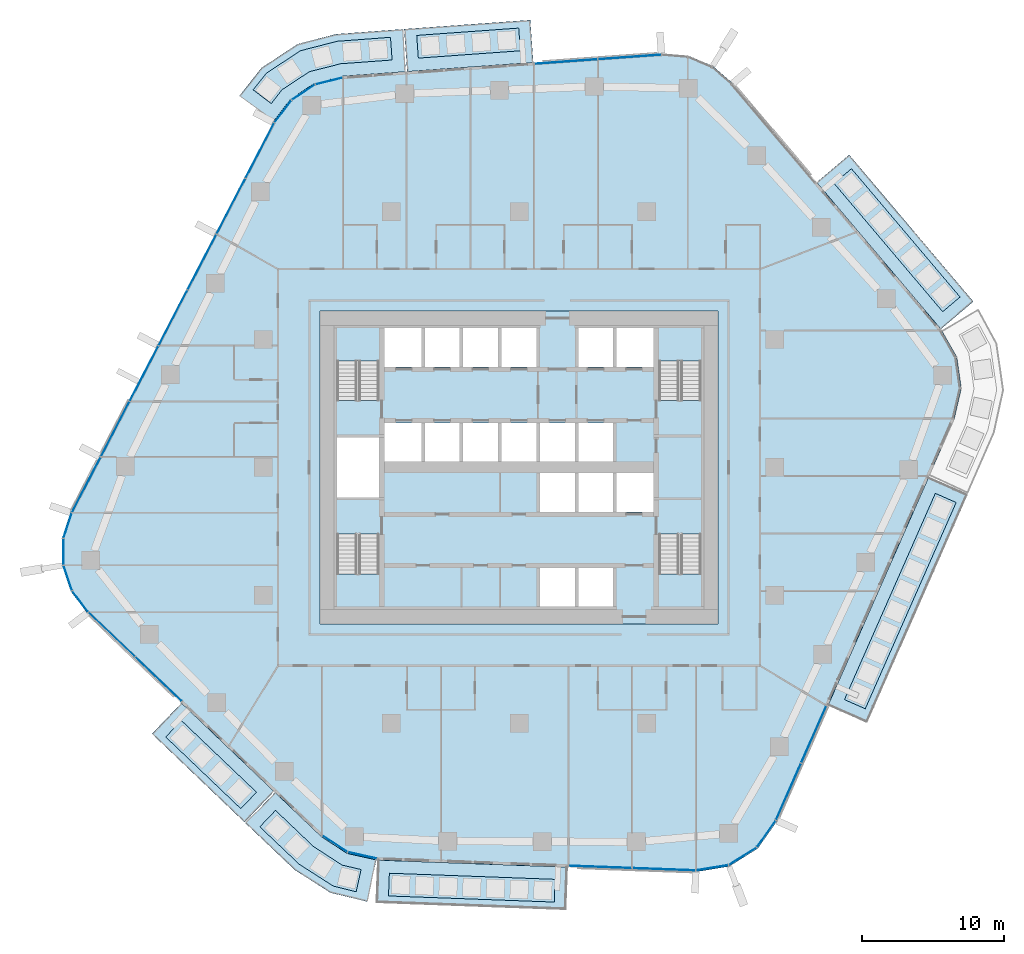
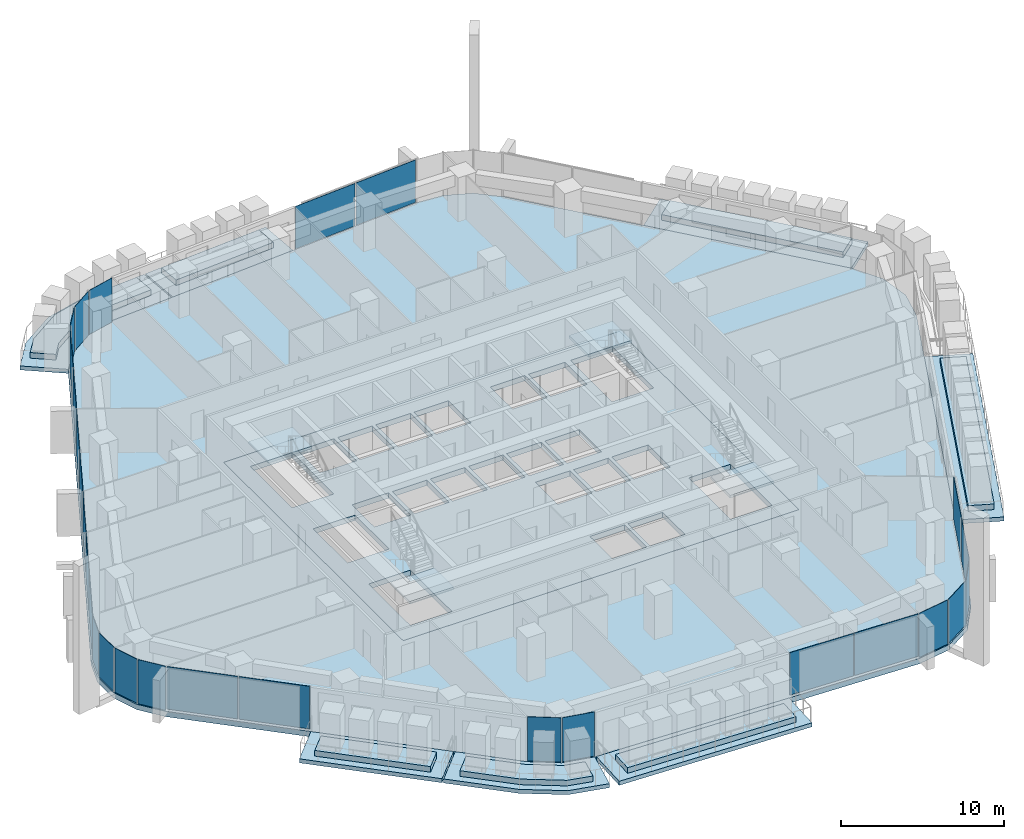
# One storey, part 10 of 24: 27 plates, 20 slabs, 13 elements without a shape of their own.
"""IFC4 building model written with IfcOpenShell, lengths in metres."""

import ifcopenshell
import ifcopenshell.guid

model = None  # the IFC model being written
_history = None  # IfcOwnerHistory: only IFC2X3 demands one
_inside = {}  # id of a spatial element -> (the spatial element, [elements in it])
_under = {}  # id of a project, library or spatial element -> (it, [spatial elements below it])
_declared = {}  # id of a project -> (the project, [libraries it declares])
_typed = {}  # id of a type object -> (the type object, [elements of that type])
_made_of = {}  # id of a material, layer set ... -> (it, [elements and type objects made of it])


def new_model(schema):
    """Start an empty IFC model of exactly this schema.

    Asked for "IFC4X3", IfcOpenShell would pick the latest addendum, in which some entities
    have other attributes; the version numbers below select the first issue.
    IFC2X3 requires an IfcOwnerHistory on every rooted entity: one is made here for all.
    """
    global model, _history
    if schema == "IFC4X3":
        model = ifcopenshell.file(schema_version=(4, 3, 0, 0))
    else:
        model = ifcopenshell.file(schema=schema)
    _inside.clear()
    _under.clear()
    _declared.clear()
    _typed.clear()
    _made_of.clear()
    _history = None
    if model.schema == "IFC2X3":
        org = make("IfcOrganization", Name="unknown")
        user = make(
            "IfcPersonAndOrganization",
            ThePerson=make("IfcPerson", FamilyName="unknown"),
            TheOrganization=org,
        )
        app = make(
            "IfcApplication",
            ApplicationDeveloper=org,
            Version="unknown",
            ApplicationFullName="unknown",
            ApplicationIdentifier="unknown",
        )
        _history = make(
            "IfcOwnerHistory",
            OwningUser=user,
            OwningApplication=app,
            ChangeAction="ADDED",
            CreationDate=0,
        )
    return model


def make(cls, **values):
    """One entity of the class cls with the attributes given. An attribute that is None is left unset."""
    return model.create_entity(
        cls, **{name: value for name, value in values.items() if value is not None}
    )


def rooted(cls, **values):
    """An entity with a GlobalId (a new one), such as an element, a storey or a relation."""
    return make(cls, GlobalId=ifcopenshell.guid.new(), OwnerHistory=_history, **values)


def si_unit(unit_type, name, prefix=None):
    """IfcSIUnit, for example si_unit("LENGTHUNIT", "METRE", prefix="MILLI")."""
    return make("IfcSIUnit", UnitType=unit_type, Prefix=prefix, Name=name)


def assignment(units):
    """IfcUnitAssignment: the units of a project."""
    return None if units is None else make("IfcUnitAssignment", Units=units)


def point(xyz):
    """IfcCartesianPoint."""
    return None if xyz is None else make("IfcCartesianPoint", Coordinates=xyz)


def direction(xyz):
    """IfcDirection."""
    return None if xyz is None else make("IfcDirection", DirectionRatios=xyz)


def frame(location, z_axis=None, x_axis=None):
    """IfcAxis2Placement3D, a coordinate frame: its origin and axes. An axis left out is left unset."""
    return make(
        "IfcAxis2Placement3D",
        Location=point(location),
        Axis=direction(z_axis),
        RefDirection=direction(x_axis),
    )


def frame_2d(location, x_axis=None):
    """IfcAxis2Placement2D, a coordinate frame in the plane: its origin and x axis."""
    return make(
        "IfcAxis2Placement2D", Location=point(location), RefDirection=direction(x_axis)
    )


def origin():
    """The frame at (0, 0, 0) with its axes left unset."""
    return frame((0.0, 0.0, 0.0))


def origin_2d():
    """The frame at (0, 0) in the plane with its x axis left unset."""
    return frame_2d((0.0, 0.0))


def place(relative_to, where):
    """IfcLocalPlacement: puts the frame where relative to a parent placement (None: the world)."""
    return make(
        "IfcLocalPlacement", PlacementRelTo=relative_to, RelativePlacement=where
    )


def context(
    kind, dimensions, precision=None, world=None, true_north=None, identifier=None
):
    """IfcGeometricRepresentationContext, for example the 3D "Model" context."""
    return make(
        "IfcGeometricRepresentationContext",
        ContextIdentifier=identifier,
        ContextType=kind,
        CoordinateSpaceDimension=dimensions,
        Precision=precision,
        WorldCoordinateSystem=world,
        TrueNorth=true_north,
    )


def subcontext(parent, identifier, kind, view, scale=None):
    """IfcGeometricRepresentationSubContext, for example "Body" below "Model"."""
    return make(
        "IfcGeometricRepresentationSubContext",
        ContextIdentifier=identifier,
        ContextType=kind,
        ParentContext=parent,
        TargetScale=scale,
        TargetView=view,
    )


def project(units=None, contexts=None):
    """IfcProject with its units and contexts."""
    return rooted(
        "IfcProject",
        Name="project",
        RepresentationContexts=contexts,
        UnitsInContext=assignment(units),
    )


def spatial(cls, under=None, at=None, **own):
    """A site, building, storey or space (cls), placed at a placement, below another one or the project."""
    s = rooted(cls, ObjectPlacement=at, **own)
    if under is not None:
        _under.setdefault(under.id(), (under, []))[1].append(s)
    return s


def polyline(points):
    """IfcPolyline through the points."""
    return make("IfcPolyline", Points=[point(p) for p in points])


def profile(cls, at=None, kind="AREA", **sizes):
    """A parametric profile (cls). Its sizes go by their IFC names, for example OverallWidth=200.0."""
    return make(cls, ProfileType=kind, Position=at, **sizes)


def rectangle(**sizes):
    """IfcRectangleProfileDef."""
    return profile("IfcRectangleProfileDef", **sizes)


def outline(outer, holes=None, kind="AREA"):
    """IfcArbitraryClosedProfileDef: a profile drawn as a closed curve; with holes, ...WithVoids."""
    if holes is None:
        return make("IfcArbitraryClosedProfileDef", ProfileType=kind, OuterCurve=outer)
    return make(
        "IfcArbitraryProfileDefWithVoids",
        ProfileType=kind,
        OuterCurve=outer,
        InnerCurves=holes,
    )


def extrude(swept, where, along, depth):
    """IfcExtrudedAreaSolid: the profile swept, set in the frame where, extruded along a direction by depth."""
    return make(
        "IfcExtrudedAreaSolid",
        SweptArea=swept,
        Position=where,
        ExtrudedDirection=direction(along),
        Depth=depth,
    )


def shape(context_of_items, identifier, shape_type, items):
    """IfcShapeRepresentation: the items that make up one representation, for example the "Body"."""
    return make(
        "IfcShapeRepresentation",
        ContextOfItems=context_of_items,
        RepresentationIdentifier=identifier,
        RepresentationType=shape_type,
        Items=items,
    )


def material(Name=None, Category=None):
    """IfcMaterial."""
    return make("IfcMaterial", Name=Name, Category=Category)


def layer(
    of_material, thickness, ventilated=None, Name=None, Category=None, Priority=None
):
    """IfcMaterialLayer: one layer of a wall or slab, of a material (None: an air gap)."""
    return make(
        "IfcMaterialLayer",
        Material=of_material,
        LayerThickness=thickness,
        IsVentilated=ventilated,
        Name=Name,
        Category=Category,
        Priority=Priority,
    )


def layer_set(layers, Name=None):
    """IfcMaterialLayerSet."""
    return make("IfcMaterialLayerSet", MaterialLayers=layers, LayerSetName=Name)


def made_of(thing, what):
    """Note that an element or type object is made of a material, layer set ...; save() writes the relation."""
    if what is not None:
        _made_of.setdefault(what.id(), (what, []))[1].append(thing)
    return thing


def type_object(cls, material=None, **own):
    """A type object (cls), such as IfcWallType, which elements share."""
    return made_of(rooted(cls, **own), material)


def element(
    cls,
    number,
    at=None,
    inside=None,
    cuts=None,
    type_object=None,
    material=None,
    context=None,
    identifier="Body",
    shape_type=None,
    held_by="IfcProductDefinitionShape",
    body=None,
    shapes=None,
    **own,
):
    """One element of the class cls, such as IfcWall. Its Tag is "e" and its number.

    at: its placement. inside: the storey or other place that contains it. cuts: it is an
    opening in that element (IfcRelVoidsElement). A single representation is given by context,
    identifier, shape_type and body (its items); several are given by shapes. held_by: the class
    of the entity that holds the representations. save() writes the other relations.
    """
    e = rooted(cls, Tag="e%d" % number, ObjectPlacement=at, **own)
    if body is not None:
        shapes = [shape(context, identifier, shape_type, body)]
    if shapes is not None:
        e.Representation = make(held_by, Representations=shapes)
    if inside is not None:
        _inside.setdefault(inside.id(), (inside, []))[1].append(e)
    if cuts is not None:
        rooted(
            "IfcRelVoidsElement", RelatingBuildingElement=cuts, RelatedOpeningElement=e
        )
    if type_object is not None:
        _typed.setdefault(type_object.id(), (type_object, []))[1].append(e)
    return made_of(e, material)


def aggregate(whole, parts):
    """IfcRelAggregates: a whole, such as a stair, and the parts it consists of."""
    return rooted("IfcRelAggregates", RelatingObject=whole, RelatedObjects=parts)


def save(model, path):
    """Write the relations noted so far, then the file.

    IfcRelAggregates (storeys below a building ...), IfcRelContainedInSpatialStructure (elements
    in a storey), IfcRelDefinesByType, IfcRelAssociatesMaterial and IfcRelDeclares: one each for
    every whole, place, type object, material and project.
    """
    for whole, parts in _under.values():
        aggregate(whole, parts)
    for where, things in _inside.values():
        rooted(
            "IfcRelContainedInSpatialStructure",
            RelatedElements=things,
            RelatingStructure=where,
        )
    for kind, things in _typed.values():
        rooted("IfcRelDefinesByType", RelatedObjects=things, RelatingType=kind)
    for what, things in _made_of.values():
        rooted("IfcRelAssociatesMaterial", RelatedObjects=things, RelatingMaterial=what)
    for by, libraries in _declared.values():
        rooted("IfcRelDeclares", RelatingContext=by, RelatedDefinitions=libraries)
    model.write(path)


model = new_model("IFC4")

# Units and contexts
model_context = context("Model", 3, precision=1e-05, world=origin(), true_north=direction((0.0, 1.0)))
body_context = subcontext(model_context, "Body", "Model", "MODEL_VIEW")
ifc_project = project(units=[si_unit("LENGTHUNIT", "METRE"), si_unit("AREAUNIT", "SQUARE_METRE"), si_unit("VOLUMEUNIT", "CUBIC_METRE"), si_unit("PLANEANGLEUNIT", "RADIAN"), si_unit("MASSUNIT", "GRAM", prefix="KILO")], contexts=[model_context])

# Site, building, storey
site_placement = place(None, origin())
site = spatial("IfcSite", under=ifc_project, at=site_placement, CompositionType="ELEMENT")
building_placement = place(site_placement, origin())
building = spatial("IfcBuilding", under=site, at=building_placement, Name="Dongbaek Canopy Tower", CompositionType="ELEMENT")
storey_placement = place(building_placement, frame((0.0, 0.0, 106.300048828125)))
storey = spatial("IfcBuildingStorey", under=building, at=storey_placement, Name="L22", CompositionType="ELEMENT", Elevation=106.300048828125)

# Slabs
ifc_material_1 = material(Name="Concrete C40/50", Category="concrete")
ifc_layer_1 = layer(ifc_material_1, 0.300048828125)
ifc_layer_set_1 = layer_set([ifc_layer_1], Name="Balcony slab 300")
slab_type_1 = type_object("IfcSlabType", Name="Balcony slab 300", PredefinedType="FLOOR", material=ifc_layer_set_1)
slab_1_placement = place(storey_placement, frame((0.0, 0.0, -0.300048828125)))
element("IfcSlab", 1, at=slab_1_placement, inside=storey, type_object=slab_type_1, Name="Balcony L22 1", PredefinedType="FLOOR", context=body_context, shape_type="SweptSolid", body=[
    extrude(outline(polyline([(29.67626953125, 9.7314453125), (20.938720703125, 20.0546875), (23.228515625, 21.99267578125), (31.966064453125, 11.669677734375), (29.67626953125, 9.7314453125)])), origin(), (0.0, 0.0, 1.0), 0.300048828125),
])
slab_2_placement = place(storey_placement, frame((0.0, 0.0, -0.300048828125)))
element("IfcSlab", 2, at=slab_2_placement, inside=storey, type_object=slab_type_1, Name="Balcony L22 2", PredefinedType="FLOOR", context=body_context, shape_type="SweptSolid", body=[
    extrude(outline(polyline([(1.005859375, 28.485107421875), (-7.866455078125, 27.846923828125), (-8.081787109375, 30.839111328125), (0.790771484375, 31.477294921875), (1.005859375, 28.485107421875)])), origin(), (0.0, 0.0, 1.0), 0.300048828125),
])
slab_3_placement = place(storey_placement, frame((0.0, 0.0, -0.300048828125)))
element("IfcSlab", 3, at=slab_3_placement, inside=storey, type_object=slab_type_1, Name="Balcony L22 7", PredefinedType="FLOOR", context=body_context, shape_type="SweptSolid", body=[
    extrude(outline(polyline([(-7.96630859375, 27.839599609375), (-12.402587890625, 27.5205078125), (-14.37353515625, 27.034423828125), (-16.06982421875, 25.918701171875), (-17.2666015625, 24.341064453125), (-19.65673828125, 26.154296875), (-18.11865234375, 28.110107421875), (-15.574462890625, 29.78369140625), (-12.870849609375, 30.48388671875), (-8.181396484375, 30.83203125), (-7.96630859375, 27.839599609375)])), origin(), (0.0, 0.0, 1.0), 0.300048828125),
])
slab_4_placement = place(storey_placement, frame((0.0, 0.0, -0.300048828125)))
element("IfcSlab", 4, at=slab_4_placement, inside=storey, type_object=slab_type_1, Name="Balcony L22 3", PredefinedType="FLOOR", context=body_context, shape_type="SweptSolid", body=[
    extrude(outline(polyline([(-23.7509765625, -16.577392578125), (-17.238525390625, -22.794189453125), (-19.309814453125, -24.964111328125), (-25.822509765625, -18.74755859375), (-23.7509765625, -16.577392578125)])), origin(), (0.0, 0.0, 1.0), 0.300048828125),
])
slab_5_placement = place(storey_placement, frame((0.0, 0.0, -0.300048828125)))
element("IfcSlab", 5, at=slab_5_placement, inside=storey, type_object=slab_type_1, Name="Balcony L22 8", PredefinedType="FLOOR", context=body_context, shape_type="SweptSolid", body=[
    extrude(outline(polyline([(-17.166015625, -22.86328125), (-13.909912109375, -25.971435546875), (-12.100830078125, -27.158935546875), (-10.036865234375, -27.616455078125), (-10.686279296875, -30.54541015625), (-13.267578125, -29.922607421875), (-15.7763671875, -28.320068359375), (-19.237548828125, -25.033203125), (-17.166015625, -22.86328125)])), origin(), (0.0, 0.0, 1.0), 0.300048828125),
])
slab_6_placement = place(storey_placement, frame((0.0, 0.0, -0.300048828125)))
element("IfcSlab", 6, at=slab_6_placement, inside=storey, type_object=slab_type_1, Name="Balcony L22 4", PredefinedType="FLOOR", context=body_context, shape_type="SweptSolid", body=[
    extrude(outline(polyline([(-9.938232421875, -27.629150390625), (3.42236328125, -28.1220703125), (3.311767578125, -31.1201171875), (-10.048828125, -30.627197265625), (-9.938232421875, -27.629150390625)])), origin(), (0.0, 0.0, 1.0), 0.300048828125),
])
slab_7_placement = place(storey_placement, frame((0.0, 0.0, -0.300048828125)))
element("IfcSlab", 7, at=slab_7_placement, inside=storey, type_object=slab_type_1, Name="Balcony L22 5", PredefinedType="FLOOR", context=body_context, shape_type="SweptSolid", body=[
    extrude(outline(polyline([(21.73828125, -16.75439453125), (28.81884765625, -0.68798828125), (31.56396484375, -1.89794921875), (24.4833984375, -17.964111328125), (21.73828125, -16.75439453125)])), origin(), (0.0, 0.0, 1.0), 0.300048828125),
])

# Curtain wall, plates
ifc_material_2 = material(Name="Aluminium 6063-T6 pale anodised", Category="aluminium")
ifc_layer_2 = layer(ifc_material_2, 0.199951171875)
ifc_layer_set_2 = layer_set([ifc_layer_2], Name="CW-1 unitised tower curtain wall")
curtain_wall_type = type_object("IfcCurtainWallType", Name="CW-1 unitised tower curtain wall", PredefinedType="NOTDEFINED", material=ifc_layer_set_2)
curtain_wall_1_placement = place(storey_placement, origin())
curtain_wall_1 = element("IfcCurtainWall", 8, at=curtain_wall_1_placement, inside=storey, type_object=curtain_wall_type, Name="CW-1 curtain wall F1.1", PredefinedType="NOTDEFINED")
ifc_material_3 = material(Name="Clear laminated glass", Category="glass")
ifc_layer_3 = layer(ifc_material_3, 0.028076171875)
ifc_layer_set_3 = layer_set([ifc_layer_3], Name="CW-1 glazed panel 28")
plate_type = type_object("IfcPlateType", Name="CW-1 glazed panel 28", PredefinedType="CURTAIN_PANEL", material=ifc_layer_set_3)
plate_1_placement = place(storey_placement, frame((7.7880859375, 28.87255859375, 0.1201171875), z_axis=(0.0, 0.0, 1.0), x_axis=(-0.997423165551, -0.071742796309, 0.0)))
plate_1 = element("IfcPlate", 9, at=plate_1_placement, type_object=plate_type, Name="CW-1 panel F1.1.1.1", PredefinedType="CURTAIN_PANEL", context=body_context, shape_type="SweptSolid", body=[
    extrude(rectangle(XDim=4.40576171875, YDim=0.028076171875, at=origin_2d()), origin(), (0.0, 0.0, 1.0), 3.179931640625),
])
plate_2_placement = place(storey_placement, frame((3.305908203125, 28.55029296875, 0.1201171875), z_axis=(0.0, 0.0, 1.0), x_axis=(-0.997423165551, -0.071742796309, 0.0)))
plate_2 = element("IfcPlate", 10, at=plate_2_placement, type_object=plate_type, Name="CW-1 panel F1.1.2.1", PredefinedType="CURTAIN_PANEL", context=body_context, shape_type="SweptSolid", body=[
    extrude(rectangle(XDim=4.41357421875, YDim=0.028076171875, at=origin_2d()), origin(), (0.0, 0.0, 1.0), 3.179931640625),
])
aggregate(curtain_wall_1, [plate_1, plate_2])

curtain_wall_2_placement = place(storey_placement, origin())
curtain_wall_2 = element("IfcCurtainWall", 11, at=curtain_wall_2_placement, inside=storey, type_object=curtain_wall_type, Name="CW-1 curtain wall K2.1", PredefinedType="NOTDEFINED")
plate_3_placement = place(storey_placement, frame((-13.35986328125, 27.181396484375, 0.0), z_axis=(0.0, 0.0, 1.0), x_axis=(-0.970907238878, -0.239455911379, 0.0)))
plate_3 = element("IfcPlate", 12, at=plate_3_placement, type_object=plate_type, Name="CW-1 panel K2.1.1.1", PredefinedType="CURTAIN_PANEL", context=body_context, shape_type="SweptSolid", body=[
    extrude(rectangle(XDim=1.92041015625, YDim=0.028076171875, at=origin_2d()), origin(), (0.0, 0.0, 1.0), 3.300048828125),
])
plate_4_placement = place(storey_placement, frame((-15.166748046875, 26.39306640625, 0.0), z_axis=(0.0, 0.0, 1.0), x_axis=(-0.835470843501, -0.54953477566, 0.0)))
plate_4 = element("IfcPlate", 13, at=plate_4_placement, type_object=plate_type, Name="CW-1 panel K2.1.2.1", PredefinedType="CURTAIN_PANEL", context=body_context, shape_type="SweptSolid", body=[
    extrude(rectangle(XDim=1.911865234375, YDim=0.028076171875, at=origin_2d()), origin(), (0.0, 0.0, 1.0), 3.300048828125),
])
plate_5_placement = place(storey_placement, frame((-16.606201171875, 25.046142578125, 0.0), z_axis=(0.0, 0.0, 1.0), x_axis=(-0.60437978776, -0.796696348772, 0.0)))
plate_5 = element("IfcPlate", 14, at=plate_5_placement, type_object=plate_type, Name="CW-1 panel K2.1.3.1", PredefinedType="CURTAIN_PANEL", context=body_context, shape_type="SweptSolid", body=[
    extrude(rectangle(XDim=1.92041015625, YDim=0.028076171875, at=origin_2d()), origin(), (0.0, 0.0, 1.0), 3.300048828125),
])
aggregate(curtain_wall_2, [plate_3, plate_4, plate_5])

curtain_wall_3_placement = place(storey_placement, origin())
curtain_wall_3 = element("IfcCurtainWall", 15, at=curtain_wall_3_placement, inside=storey, type_object=curtain_wall_type, Name="CW-1 curtain wall F2.1", PredefinedType="NOTDEFINED")
plate_6_placement = place(storey_placement, frame((-18.228271484375, 22.29052734375, 0.1201171875), z_axis=(0.0, 0.0, 1.0), x_axis=(-0.460879720641, -0.887462609411, 0.0)))
plate_6 = element("IfcPlate", 16, at=plate_6_placement, type_object=plate_type, Name="CW-1 panel F2.1.1.1", PredefinedType="CURTAIN_PANEL", context=body_context, shape_type="SweptSolid", body=[
    extrude(rectangle(XDim=4.32666015625, YDim=0.028076171875, at=origin_2d()), origin(), (0.0, 0.0, 1.0), 3.179931640625),
])
plate_7_placement = place(storey_placement, frame((-20.26318359375, 18.372314453125, 0.1201171875), z_axis=(0.0, 0.0, 1.0), x_axis=(-0.460879720641, -0.887462609411, 0.0)))
plate_7 = element("IfcPlate", 17, at=plate_7_placement, type_object=plate_type, Name="CW-1 panel F2.1.2.1", PredefinedType="CURTAIN_PANEL", context=body_context, shape_type="SweptSolid", body=[
    extrude(rectangle(XDim=4.335205078125, YDim=0.028076171875, at=origin_2d()), origin(), (0.0, 0.0, 1.0), 3.179931640625),
])
plate_8_placement = place(storey_placement, frame((-22.2998046875, 14.450439453125, 0.1201171875), z_axis=(0.0, 0.0, 1.0), x_axis=(-0.460879720641, -0.887462609411, 0.0)))
plate_8 = element("IfcPlate", 18, at=plate_8_placement, type_object=plate_type, Name="CW-1 panel F2.1.3.1", PredefinedType="CURTAIN_PANEL", context=body_context, shape_type="SweptSolid", body=[
    extrude(rectangle(XDim=4.335205078125, YDim=0.028076171875, at=origin_2d()), origin(), (0.0, 0.0, 1.0), 3.179931640625),
])
plate_9_placement = place(storey_placement, frame((-24.336669921875, 10.528564453125, 0.1201171875), z_axis=(0.0, 0.0, 1.0), x_axis=(-0.460879720641, -0.887462609411, 0.0)))
plate_9 = element("IfcPlate", 19, at=plate_9_placement, type_object=plate_type, Name="CW-1 panel F2.1.4.1", PredefinedType="CURTAIN_PANEL", context=body_context, shape_type="SweptSolid", body=[
    extrude(rectangle(XDim=4.335205078125, YDim=0.028076171875, at=origin_2d()), origin(), (0.0, 0.0, 1.0), 3.179931640625),
])
plate_10_placement = place(storey_placement, frame((-26.373291015625, 6.606689453125, 0.1201171875), z_axis=(0.0, 0.0, 1.0), x_axis=(-0.460879720641, -0.887462609411, 0.0)))
plate_10 = element("IfcPlate", 20, at=plate_10_placement, type_object=plate_type, Name="CW-1 panel F2.1.5.1", PredefinedType="CURTAIN_PANEL", context=body_context, shape_type="SweptSolid", body=[
    extrude(rectangle(XDim=4.335205078125, YDim=0.028076171875, at=origin_2d()), origin(), (0.0, 0.0, 1.0), 3.179931640625),
])
plate_11_placement = place(storey_placement, frame((-28.41015625, 2.684814453125, 0.1201171875), z_axis=(0.0, 0.0, 1.0), x_axis=(-0.460879720641, -0.887462609411, 0.0)))
plate_11 = element("IfcPlate", 21, at=plate_11_placement, type_object=plate_type, Name="CW-1 panel F2.1.6.1", PredefinedType="CURTAIN_PANEL", context=body_context, shape_type="SweptSolid", body=[
    extrude(rectangle(XDim=4.335205078125, YDim=0.028076171875, at=origin_2d()), origin(), (0.0, 0.0, 1.0), 3.179931640625),
])
plate_12_placement = place(storey_placement, frame((-30.44482421875, -1.2333984375, 0.1201171875), z_axis=(0.0, 0.0, 1.0), x_axis=(-0.460879720641, -0.887462609411, 0.0)))
plate_12 = element("IfcPlate", 22, at=plate_12_placement, type_object=plate_type, Name="CW-1 panel F2.1.7.1", PredefinedType="CURTAIN_PANEL", context=body_context, shape_type="SweptSolid", body=[
    extrude(rectangle(XDim=4.3271484375, YDim=0.028076171875, at=origin_2d()), origin(), (0.0, 0.0, 1.0), 3.179931640625),
])
aggregate(curtain_wall_3, [plate_6, plate_7, plate_8, plate_9, plate_10, plate_11, plate_12])

curtain_wall_4_placement = place(storey_placement, origin())
curtain_wall_4 = element("IfcCurtainWall", 23, at=curtain_wall_4_placement, inside=storey, type_object=curtain_wall_type, Name="CW-1 curtain wall K3.1", PredefinedType="NOTDEFINED")
plate_13_placement = place(storey_placement, frame((-31.75830078125, -4.0927734375, 0.0), z_axis=(0.0, 0.0, 1.0), x_axis=(-0.31269869536, -0.949852370593, 0.0)))
plate_13 = element("IfcPlate", 24, at=plate_13_placement, type_object=plate_type, Name="CW-1 panel K3.1.1.1", PredefinedType="CURTAIN_PANEL", context=body_context, shape_type="SweptSolid", body=[
    extrude(rectangle(XDim=1.814697265625, YDim=0.028076171875, at=origin_2d()), origin(), (0.0, 0.0, 1.0), 3.300048828125),
])
plate_14_placement = place(storey_placement, frame((-32.051513671875, -5.939697265625, 0.0), z_axis=(0.0, 0.0, 1.0), x_axis=(0.003873783475, -0.999992496873, 0.0)))
plate_14 = element("IfcPlate", 25, at=plate_14_placement, type_object=plate_type, Name="CW-1 panel K3.1.2.1", PredefinedType="CURTAIN_PANEL", context=body_context, shape_type="SweptSolid", body=[
    extrude(rectangle(XDim=1.806640625, YDim=0.028076171875, at=origin_2d()), origin(), (0.0, 0.0, 1.0), 3.300048828125),
])
plate_15_placement = place(storey_placement, frame((-31.745361328125, -7.78076171875, 0.0), z_axis=(0.0, 0.0, 1.0), x_axis=(0.320048300125, -0.947401227352, 0.0)))
plate_15 = element("IfcPlate", 26, at=plate_15_placement, type_object=plate_type, Name="CW-1 panel K3.1.3.1", PredefinedType="CURTAIN_PANEL", context=body_context, shape_type="SweptSolid", body=[
    extrude(rectangle(XDim=1.806640625, YDim=0.028076171875, at=origin_2d()), origin(), (0.0, 0.0, 1.0), 3.300048828125),
])
plate_16_placement = place(storey_placement, frame((-30.869873046875, -9.433349609375, 0.0), z_axis=(0.0, 0.0, 1.0), x_axis=(0.603343561483, -0.797481377097, 0.0)))
plate_16 = element("IfcPlate", 27, at=plate_16_placement, type_object=plate_type, Name="CW-1 panel K3.1.4.1", PredefinedType="CURTAIN_PANEL", context=body_context, shape_type="SweptSolid", body=[
    extrude(rectangle(XDim=1.814697265625, YDim=0.028076171875, at=origin_2d()), origin(), (0.0, 0.0, 1.0), 3.300048828125),
])
aggregate(curtain_wall_4, [plate_13, plate_14, plate_15, plate_16])

curtain_wall_5_placement = place(storey_placement, origin())
curtain_wall_5 = element("IfcCurtainWall", 28, at=curtain_wall_5_placement, inside=storey, type_object=curtain_wall_type, Name="CW-1 curtain wall F3.1", PredefinedType="NOTDEFINED")
plate_17_placement = place(storey_placement, frame((-28.65380859375, -11.75927734375, 0.1201171875), z_axis=(0.0, 0.0, 1.0), x_axis=(0.723349119541, -0.690482477156, 0.0)))
plate_17 = element("IfcPlate", 29, at=plate_17_placement, type_object=plate_type, Name="CW-1 panel F3.1.1.1", PredefinedType="CURTAIN_PANEL", context=body_context, shape_type="SweptSolid", body=[
    extrude(rectangle(XDim=4.459716796875, YDim=0.028076171875, at=origin_2d()), origin(), (0.0, 0.0, 1.0), 3.179931640625),
])
plate_18_placement = place(storey_placement, frame((-25.3642578125, -14.899169921875, 0.1201171875), z_axis=(0.0, 0.0, 1.0), x_axis=(0.723349119541, -0.690482477156, 0.0)))
plate_18 = element("IfcPlate", 30, at=plate_18_placement, type_object=plate_type, Name="CW-1 panel F3.1.2.1", PredefinedType="CURTAIN_PANEL", context=body_context, shape_type="SweptSolid", body=[
    extrude(rectangle(XDim=4.4677734375, YDim=0.028076171875, at=origin_2d()), origin(), (0.0, 0.0, 1.0), 3.179931640625),
])
aggregate(curtain_wall_5, [plate_17, plate_18])

curtain_wall_6_placement = place(storey_placement, origin())
curtain_wall_6 = element("IfcCurtainWall", 31, at=curtain_wall_6_placement, inside=storey, type_object=curtain_wall_type, Name="CW-1 curtain wall K4.1", PredefinedType="NOTDEFINED")
plate_19_placement = place(storey_placement, frame((-12.954345703125, -26.47900390625, 0.0), z_axis=(0.0, 0.0, 1.0), x_axis=(0.836003585716, -0.548723978581, 0.0)))
plate_19 = element("IfcPlate", 32, at=plate_19_placement, type_object=plate_type, Name="CW-1 panel K4.1.1.1", PredefinedType="CURTAIN_PANEL", context=body_context, shape_type="SweptSolid", body=[
    extrude(rectangle(XDim=2.052490234375, YDim=0.028076171875, at=origin_2d()), origin(), (0.0, 0.0, 1.0), 3.300048828125),
])
plate_20_placement = place(storey_placement, frame((-11.018310546875, -27.29638671875, 0.0), z_axis=(0.0, 0.0, 1.0), x_axis=(0.976288741887, -0.216472382683, 0.0)))
plate_20 = element("IfcPlate", 33, at=plate_20_placement, type_object=plate_type, Name="CW-1 panel K4.1.2.1", PredefinedType="CURTAIN_PANEL", context=body_context, shape_type="SweptSolid", body=[
    extrude(rectangle(XDim=2.052490234375, YDim=0.028076171875, at=origin_2d()), origin(), (0.0, 0.0, 1.0), 3.300048828125),
])
aggregate(curtain_wall_6, [plate_19, plate_20])

curtain_wall_7_placement = place(storey_placement, origin())
curtain_wall_7 = element("IfcCurtainWall", 34, at=curtain_wall_7_placement, inside=storey, type_object=curtain_wall_type, Name="CW-1 curtain wall F4.1", PredefinedType="NOTDEFINED")
plate_21_placement = place(storey_placement, frame((5.71923828125, -28.10693359375, 0.1201171875), z_axis=(0.0, 0.0, 1.0), x_axis=(0.99931997253, -0.036872652499, 0.0)))
plate_21 = element("IfcPlate", 35, at=plate_21_placement, type_object=plate_type, Name="CW-1 panel F4.1.1.1", PredefinedType="CURTAIN_PANEL", context=body_context, shape_type="SweptSolid", body=[
    extrude(rectangle(XDim=4.40576171875, YDim=0.028076171875, at=origin_2d()), origin(), (0.0, 0.0, 1.0), 3.179931640625),
])
plate_22_placement = place(storey_placement, frame((10.201171875, -28.272216796875, 0.1201171875), z_axis=(0.0, 0.0, 1.0), x_axis=(0.99931997253, -0.036872652499, 0.0)))
plate_22 = element("IfcPlate", 36, at=plate_22_placement, type_object=plate_type, Name="CW-1 panel F4.1.2.1", PredefinedType="CURTAIN_PANEL", context=body_context, shape_type="SweptSolid", body=[
    extrude(rectangle(XDim=4.39599609375, YDim=0.028076171875, at=origin_2d()), origin(), (0.0, 0.0, 1.0), 3.179931640625),
])
aggregate(curtain_wall_7, [plate_21, plate_22])

curtain_wall_8_placement = place(storey_placement, origin())
curtain_wall_8 = element("IfcCurtainWall", 37, at=curtain_wall_8_placement, inside=storey, type_object=curtain_wall_type, Name="CW-1 curtain wall K5.1", PredefinedType="NOTDEFINED")
plate_23_placement = place(storey_placement, frame((13.593994140625, -28.166259765625, 0.0), z_axis=(0.0, 0.0, 1.0), x_axis=(0.986925933455, 0.161174445476, 0.0)))
plate_23 = element("IfcPlate", 38, at=plate_23_placement, type_object=plate_type, Name="CW-1 panel K5.1.1.1", PredefinedType="CURTAIN_PANEL", context=body_context, shape_type="SweptSolid", body=[
    extrude(rectangle(XDim=2.25537109375, YDim=0.028076171875, at=origin_2d()), origin(), (0.0, 0.0, 1.0), 3.300048828125),
])
plate_24_placement = place(storey_placement, frame((15.7353515625, -27.359619140625, 0.0), z_axis=(0.0, 0.0, 1.0), x_axis=(0.847571733396, 0.530680842642, 0.0)))
plate_24 = element("IfcPlate", 39, at=plate_24_placement, type_object=plate_type, Name="CW-1 panel K5.1.2.1", PredefinedType="CURTAIN_PANEL", context=body_context, shape_type="SweptSolid", body=[
    extrude(rectangle(XDim=2.2451171875, YDim=0.028076171875, at=origin_2d()), origin(), (0.0, 0.0, 1.0), 3.300048828125),
])
plate_25_placement = place(storey_placement, frame((17.396240234375, -25.78564453125, 0.0), z_axis=(0.0, 0.0, 1.0), x_axis=(0.576034847572, 0.817425136867, 0.0)))
plate_25 = element("IfcPlate", 40, at=plate_25_placement, type_object=plate_type, Name="CW-1 panel K5.1.3.1", PredefinedType="CURTAIN_PANEL", context=body_context, shape_type="SweptSolid", body=[
    extrude(rectangle(XDim=2.25537109375, YDim=0.028076171875, at=origin_2d()), origin(), (0.0, 0.0, 1.0), 3.300048828125),
])
aggregate(curtain_wall_8, [plate_23, plate_24, plate_25])

curtain_wall_9_placement = place(storey_placement, origin())
curtain_wall_9 = element("IfcCurtainWall", 41, at=curtain_wall_9_placement, inside=storey, type_object=curtain_wall_type, Name="CW-1 curtain wall F5.1", PredefinedType="NOTDEFINED")
plate_26_placement = place(storey_placement, frame((18.958251953125, -22.814208984375, 0.1201171875), z_axis=(0.0, 0.0, 1.0), x_axis=(0.403288773867, 0.915072764797, 0.0)))
plate_26 = element("IfcPlate", 42, at=plate_26_placement, type_object=plate_type, Name="CW-1 panel F5.1.1.1", PredefinedType="CURTAIN_PANEL", context=body_context, shape_type="SweptSolid", body=[
    extrude(rectangle(XDim=4.3203125, YDim=0.028076171875, at=origin_2d()), origin(), (0.0, 0.0, 1.0), 3.179931640625),
])
plate_27_placement = place(storey_placement, frame((20.736328125, -18.779541015625, 0.1201171875), z_axis=(0.0, 0.0, 1.0), x_axis=(0.403288773867, 0.915072764797, 0.0)))
plate_27 = element("IfcPlate", 43, at=plate_27_placement, type_object=plate_type, Name="CW-1 panel F5.1.2.1", PredefinedType="CURTAIN_PANEL", context=body_context, shape_type="SweptSolid", body=[
    extrude(rectangle(XDim=4.330322265625, YDim=0.028076171875, at=origin_2d()), origin(), (0.0, 0.0, 1.0), 3.179931640625),
])
aggregate(curtain_wall_9, [plate_26, plate_27])

# Slab
ifc_material_4 = material(Name="Concrete C40/50", Category="concrete")
ifc_layer_4 = layer(ifc_material_4, 0.39990234375)
ifc_layer_set_4 = layer_set([ifc_layer_4], Name="Core floor slab 400 Concrete C40/50")
slab_type_2 = type_object("IfcSlabType", Name="Core floor slab 400 Concrete C40/50", PredefinedType="FLOOR", material=ifc_layer_set_4)
slab_8_placement = place(storey_placement, frame((0.0, 0.0, -0.400146484375)))
element("IfcSlab", 44, at=slab_8_placement, inside=storey, type_object=slab_type_2, Name="Core floor slab L22", PredefinedType="FLOOR", context=body_context, shape_type="SweptSolid", body=[
    extrude(outline(polyline([(14.0, -11.0), (14.0, 11.0), (-14.0, 11.0), (-14.0, -11.0), (14.0, -11.0)]), holes=[polyline([(-12.800048828125, 2.10009765625), (-9.85009765625, 2.10009765625), (-9.85009765625, -2.10009765625), (-12.800048828125, -2.10009765625), (-12.800048828125, 2.10009765625)]), polyline([(-6.875, 9.800048828125), (-6.875, 7.074951171875), (-9.449951171875, 7.074951171875), (-9.449951171875, 9.800048828125), (-6.875, 9.800048828125)]), polyline([(-4.175048828125, 9.800048828125), (-4.175048828125, 7.074951171875), (-6.625, 7.074951171875), (-6.625, 9.800048828125), (-4.175048828125, 9.800048828125)]), polyline([(-1.47509765625, 9.800048828125), (-1.47509765625, 7.074951171875), (-3.925048828125, 7.074951171875), (-3.925048828125, 9.800048828125), (-1.47509765625, 9.800048828125)]), polyline([(1.22509765625, 9.800048828125), (1.22509765625, 7.074951171875), (-1.22509765625, 7.074951171875), (-1.22509765625, 9.800048828125), (1.22509765625, 9.800048828125)]), polyline([(6.625, 9.800048828125), (6.625, 7.074951171875), (4.175048828125, 7.074951171875), (4.175048828125, 9.800048828125), (6.625, 9.800048828125)]), polyline([(9.449951171875, 7.074951171875), (6.875, 7.074951171875), (6.875, 9.800048828125), (9.449951171875, 9.800048828125), (9.449951171875, 7.074951171875)]), polyline([(-9.449951171875, 3.125), (-6.875, 3.125), (-6.875, 0.39990234375), (-9.449951171875, 0.39990234375), (-9.449951171875, 3.125)]), polyline([(-6.625, 3.125), (-4.175048828125, 3.125), (-4.175048828125, 0.39990234375), (-6.625, 0.39990234375), (-6.625, 3.125)]), polyline([(-3.925048828125, 3.125), (-1.47509765625, 3.125), (-1.47509765625, 0.39990234375), (-3.925048828125, 0.39990234375), (-3.925048828125, 3.125)]), polyline([(-1.22509765625, 3.125), (1.22509765625, 3.125), (1.22509765625, 0.39990234375), (-1.22509765625, 0.39990234375), (-1.22509765625, 3.125)]), polyline([(1.47509765625, 0.39990234375), (1.47509765625, 3.125), (3.925048828125, 3.125), (3.925048828125, 0.39990234375), (1.47509765625, 0.39990234375)]), polyline([(4.175048828125, 0.39990234375), (4.175048828125, 3.125), (6.625, 3.125), (6.625, 0.39990234375), (4.175048828125, 0.39990234375)]), polyline([(1.47509765625, -0.39990234375), (3.925048828125, -0.39990234375), (3.925048828125, -3.125), (1.47509765625, -3.125), (1.47509765625, -0.39990234375)]), polyline([(6.625, -0.39990234375), (6.625, -3.125), (4.175048828125, -3.125), (4.175048828125, -0.39990234375), (6.625, -0.39990234375)]), polyline([(9.449951171875, -3.125), (6.875, -3.125), (6.875, -0.39990234375), (9.449951171875, -0.39990234375), (9.449951171875, -3.125)]), polyline([(1.47509765625, -9.800048828125), (1.47509765625, -7.074951171875), (3.925048828125, -7.074951171875), (3.925048828125, -9.800048828125), (1.47509765625, -9.800048828125)]), polyline([(4.175048828125, -9.800048828125), (4.175048828125, -7.074951171875), (6.625, -7.074951171875), (6.625, -9.800048828125), (4.175048828125, -9.800048828125)]), polyline([(12.800048828125, 4.70068359375), (12.800048828125, 9.800048828125), (9.85009765625, 9.800048828125), (9.85009765625, 4.70068359375), (12.800048828125, 4.70068359375)]), polyline([(-9.85009765625, 4.70068359375), (-9.85009765625, 9.800048828125), (-12.800048828125, 9.800048828125), (-12.800048828125, 4.70068359375), (-9.85009765625, 4.70068359375)]), polyline([(9.85009765625, -4.70068359375), (9.85009765625, -9.800048828125), (12.800048828125, -9.800048828125), (12.800048828125, -4.70068359375), (9.85009765625, -4.70068359375)]), polyline([(-12.800048828125, -4.70068359375), (-12.800048828125, -9.800048828125), (-9.85009765625, -9.800048828125), (-9.85009765625, -4.70068359375), (-12.800048828125, -4.70068359375)])]), origin(), (0.0, 0.0, 1.0), 0.400146484375),
])

# Stair, slab
ifc_material_5 = material(Name="Concrete C40/50", Category="concrete")
stair_type = type_object("IfcStairType", Name="Core exit stair", PredefinedType="HALF_TURN_STAIR", material=ifc_material_5)
stair_1_placement = place(storey_placement, origin())
stair_1 = element("IfcStair", 45, at=stair_1_placement, inside=storey, type_object=stair_type, Name="L22 exit stair A", PredefinedType="HALF_TURN_STAIR")
ifc_material_6 = material(Name="Concrete C40/50", Category="concrete")
ifc_layer_5 = layer(ifc_material_6, 0.199951171875)
ifc_layer_set_5 = layer_set([ifc_layer_5], Name="Core stair landing 200")
slab_type_3 = type_object("IfcSlabType", Name="Core stair landing 200", PredefinedType="LANDING", material=ifc_layer_set_5)
slab_9_placement = place(storey_placement, frame((0.0, 0.0, 1.64990234375)))
slab_9 = element("IfcSlab", 46, at=slab_9_placement, type_object=slab_type_3, Name="ST-A landing 1", PredefinedType="LANDING", context=body_context, shape_type="SweptSolid", body=[
    extrude(outline(polyline([(12.875, 7.5), (12.875, 9.875), (9.77490234375, 9.875), (9.77490234375, 7.5), (12.875, 7.5)])), origin(), (0.0, 0.0, 1.0), 0.199951171875),
])
aggregate(stair_1, [slab_9])

stair_2_placement = place(storey_placement, origin())
stair_2 = element("IfcStair", 47, at=stair_2_placement, inside=storey, type_object=stair_type, Name="L22 exit stair C", PredefinedType="HALF_TURN_STAIR")
slab_10_placement = place(storey_placement, frame((0.0, 0.0, 1.64990234375)))
slab_10 = element("IfcSlab", 48, at=slab_10_placement, type_object=slab_type_3, Name="ST-C landing 1", PredefinedType="LANDING", context=body_context, shape_type="SweptSolid", body=[
    extrude(outline(polyline([(-9.77490234375, 7.5), (-9.77490234375, 9.875), (-12.875, 9.875), (-12.875, 7.5), (-9.77490234375, 7.5)])), origin(), (0.0, 0.0, 1.0), 0.199951171875),
])
aggregate(stair_2, [slab_10])

stair_3_placement = place(storey_placement, origin())
stair_3 = element("IfcStair", 49, at=stair_3_placement, inside=storey, type_object=stair_type, Name="L22 exit stair B", PredefinedType="HALF_TURN_STAIR")
slab_11_placement = place(storey_placement, frame((0.0, 0.0, 1.64990234375)))
slab_11 = element("IfcSlab", 50, at=slab_11_placement, type_object=slab_type_3, Name="ST-B landing 1", PredefinedType="LANDING", context=body_context, shape_type="SweptSolid", body=[
    extrude(outline(polyline([(9.77490234375, -7.5), (9.77490234375, -9.875), (12.875, -9.875), (12.875, -7.5), (9.77490234375, -7.5)])), origin(), (0.0, 0.0, 1.0), 0.199951171875),
])
aggregate(stair_3, [slab_11])

stair_4_placement = place(storey_placement, origin())
stair_4 = element("IfcStair", 51, at=stair_4_placement, inside=storey, type_object=stair_type, Name="L22 exit stair D", PredefinedType="HALF_TURN_STAIR")
slab_12_placement = place(storey_placement, frame((0.0, 0.0, 1.64990234375)))
slab_12 = element("IfcSlab", 52, at=slab_12_placement, type_object=slab_type_3, Name="ST-D landing 1", PredefinedType="LANDING", context=body_context, shape_type="SweptSolid", body=[
    extrude(outline(polyline([(-12.875, -7.5), (-12.875, -9.875), (-9.77490234375, -9.875), (-9.77490234375, -7.5), (-12.875, -7.5)])), origin(), (0.0, 0.0, 1.0), 0.199951171875),
])
aggregate(stair_4, [slab_12])

# Slabs
ifc_material_7 = material(Name="Concrete C40", Category="concrete")
ifc_layer_6 = layer(ifc_material_7, 0.39990234375)
ifc_layer_set_6 = layer_set([ifc_layer_6], Name="RC FLAT PLATE 400 Concrete C40")
slab_type_4 = type_object("IfcSlabType", Name="RC FLAT PLATE 400 Concrete C40", PredefinedType="FLOOR", material=ifc_layer_set_6)
slab_13_placement = place(storey_placement, frame((0.0, 0.0, -0.400146484375)))
element("IfcSlab", 53, at=slab_13_placement, inside=storey, type_object=slab_type_4, Name="SLAB:L22", PredefinedType="FLOOR", context=body_context, shape_type="SweptSolid", body=[
    extrude(outline(polyline([(18.157470703125, -24.87890625), (16.79248046875, -26.81591796875), (14.7841796875, -28.0732421875), (12.44580078125, -28.455078125), (-9.98828125, -27.627197265625), (-12.100830078125, -27.158935546875), (-13.909912109375, -25.971435546875), (-30.3720703125, -10.25732421875), (-31.5322265625, -8.7236328125), (-32.147705078125, -6.901611328125), (-32.1552734375, -4.978515625), (-31.553955078125, -3.15185546875), (-17.296875, 24.30126953125), (-16.06982421875, 25.918701171875), (-14.37353515625, 27.034423828125), (-12.402587890625, 27.5205078125), (10.028076171875, 29.134033203125), (11.893798828125, 28.97509765625), (13.6201171875, 28.248779296875), (15.0380859375, 27.02587890625), (29.70849609375, 9.693115234375), (30.805419921875, 7.760498046875), (31.123291015625, 5.561279296875), (30.619384765625, 3.397216796875), (18.157470703125, -24.87890625)]), holes=[polyline([(14.0, 11.0), (-14.0, 11.0), (-14.0, -11.0), (14.0, -11.0), (14.0, 11.0)])]), origin(), (0.0, 0.0, 1.0), 0.400146484375),
])
ifc_material_8 = material(Name="Reinforced concrete C40/50 planter box with soil", Category="concrete")
ifc_layer_7 = layer(ifc_material_8, 0.419921875)
ifc_layer_set_7 = layer_set([ifc_layer_7], Name="Terrace planter box 1600 x 420")
slab_type_5 = type_object("IfcSlabType", Name="Terrace planter box 1600 x 420", PredefinedType="USERDEFINED", material=ifc_layer_set_7)
slab_14_placement = place(storey_placement, origin())
element("IfcSlab", 54, at=slab_14_placement, inside=storey, type_object=slab_type_5, Name="Balcony planter L22 1", ObjectType="PLANTER", PredefinedType="USERDEFINED", context=body_context, shape_type="SweptSolid", body=[
    extrude(outline(polyline([(29.806396484375, 10.955078125), (22.167236328125, 19.980712890625), (23.388427734375, 21.014404296875), (31.02783203125, 11.98876953125), (29.806396484375, 10.955078125)])), origin(), (0.0, 0.0, 1.0), 0.419921875),
])
slab_15_placement = place(storey_placement, origin())
element("IfcSlab", 55, at=slab_15_placement, inside=storey, type_object=slab_type_5, Name="Balcony planter L22 2", ObjectType="PLANTER", PredefinedType="USERDEFINED", context=body_context, shape_type="SweptSolid", body=[
    extrude(outline(polyline([(0.09423828125, 29.311767578125), (-7.08251953125, 28.795654296875), (-7.197265625, 30.391357421875), (-0.0205078125, 30.90771484375), (0.09423828125, 29.311767578125)])), origin(), (0.0, 0.0, 1.0), 0.419921875),
])
slab_16_placement = place(storey_placement, origin())
element("IfcSlab", 56, at=slab_16_placement, inside=storey, type_object=slab_type_5, Name="Balcony planter L22 7", ObjectType="PLANTER", PredefinedType="USERDEFINED", context=body_context, shape_type="SweptSolid", body=[
    extrude(outline(polyline([(-8.927734375, 28.662841796875), (-12.54150390625, 28.399658203125), (-14.729736328125, 27.85009765625), (-16.677734375, 26.56884765625), (-17.431640625, 25.59619140625), (-18.706298828125, 26.56298828125), (-17.770263671875, 27.737548828125), (-15.370361328125, 29.316162109375), (-12.791259765625, 29.97998046875), (-9.04248046875, 30.2587890625), (-8.927734375, 28.662841796875)])), origin(), (0.0, 0.0, 1.0), 0.419921875),
])
slab_17_placement = place(storey_placement, origin())
element("IfcSlab", 57, at=slab_17_placement, inside=storey, type_object=slab_type_5, Name="Balcony planter L22 3", ObjectType="PLANTER", PredefinedType="USERDEFINED", context=body_context, shape_type="SweptSolid", body=[
    extrude(outline(polyline([(-23.750732421875, -17.80810546875), (-18.4677734375, -22.85107421875), (-19.572509765625, -24.00830078125), (-24.85546875, -18.965576171875), (-23.750732421875, -17.80810546875)])), origin(), (0.0, 0.0, 1.0), 0.419921875),
])
slab_18_placement = place(storey_placement, origin())
element("IfcSlab", 58, at=slab_18_placement, inside=storey, type_object=slab_type_5, Name="Balcony planter L22 8", ObjectType="PLANTER", PredefinedType="USERDEFINED", context=body_context, shape_type="SweptSolid", body=[
    extrude(outline(polyline([(-17.129638671875, -24.12841796875), (-14.463623046875, -26.668212890625), (-12.447021484375, -27.978759765625), (-11.1083984375, -28.29052734375), (-11.45458984375, -29.8525390625), (-13.0693359375, -29.452880859375), (-15.458984375, -27.9208984375), (-18.234375, -25.285888671875), (-17.129638671875, -24.12841796875)])), origin(), (0.0, 0.0, 1.0), 0.419921875),
])
slab_19_placement = place(storey_placement, origin())
element("IfcSlab", 59, at=slab_19_placement, inside=storey, type_object=slab_type_5, Name="Balcony planter L22 4", ObjectType="PLANTER", PredefinedType="USERDEFINED", context=body_context, shape_type="SweptSolid", body=[
    extrude(outline(polyline([(-9.12158203125, -28.5498046875), (2.5400390625, -28.980224609375), (2.48095703125, -30.5791015625), (-9.1806640625, -30.14892578125), (-9.12158203125, -28.5498046875)])), origin(), (0.0, 0.0, 1.0), 0.419921875),
])
slab_20_placement = place(storey_placement, origin())
element("IfcSlab", 60, at=slab_20_placement, inside=storey, type_object=slab_type_5, Name="Balcony planter L22 5", ObjectType="PLANTER", PredefinedType="USERDEFINED", context=body_context, shape_type="SweptSolid", body=[
    extrude(outline(polyline([(22.8955078125, -16.33544921875), (29.29052734375, -1.82470703125), (30.754638671875, -2.469970703125), (24.359619140625, -16.980712890625), (22.8955078125, -16.33544921875)])), origin(), (0.0, 0.0, 1.0), 0.419921875),
])

save(model, "model.ifc")
